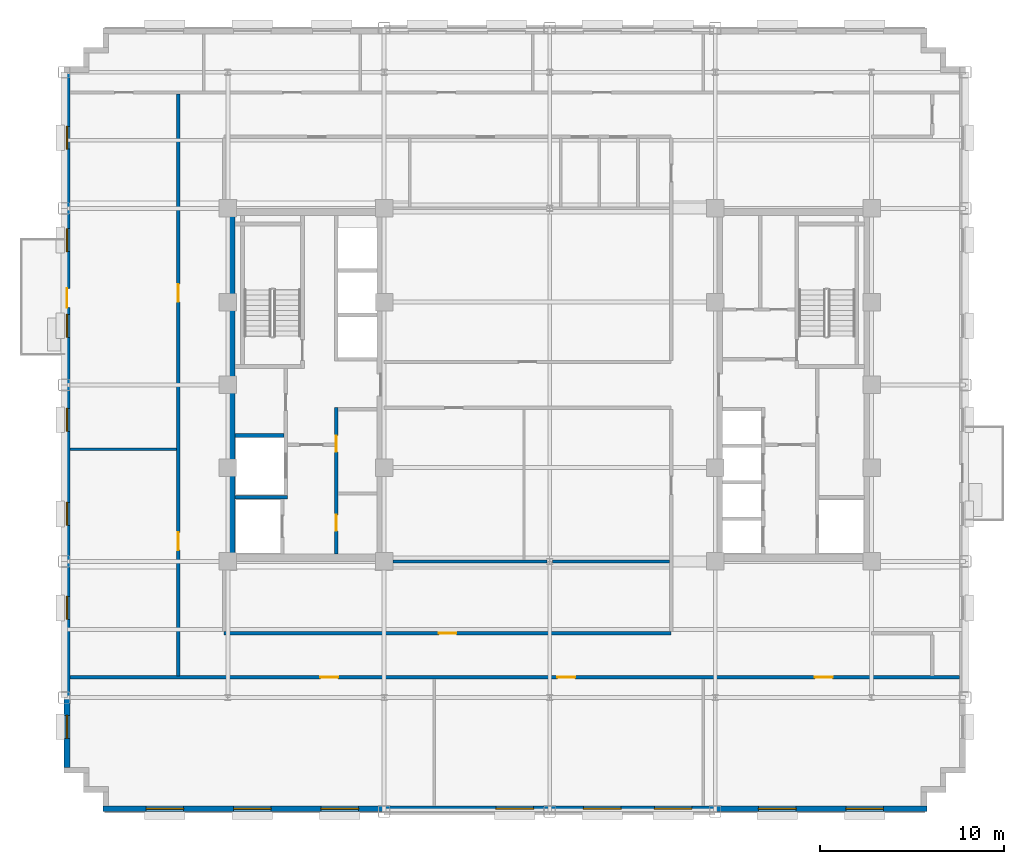
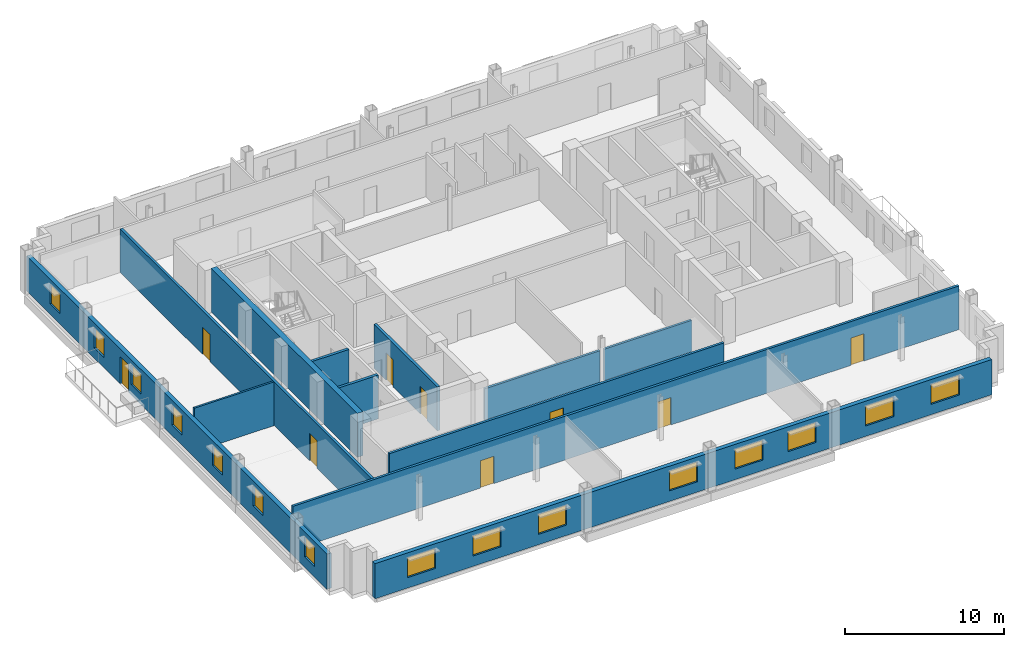
# One storey, part 7 of 14: 15 windows, 12 walls, 9 doors, 24 openings.
"""IFC4 building model written with IfcOpenShell, lengths in metres."""

from ifc_helpers import new_model, si_unit, direction, frame, frame_2d, origin, place, context, subcontext, project, spatial, rectangle, extrude, source, transform, mapped, material, layer, layer_set, type_object, type_shapes, element, fill, save


model = new_model("IFC4")

# Units and contexts
model_context = context("Model", 3, precision=1e-05, world=origin(), true_north=direction((0.0, 1.0)))
body_context = subcontext(model_context, "Body", "Model", "MODEL_VIEW")
ifc_project = project(units=[si_unit("LENGTHUNIT", "METRE"), si_unit("AREAUNIT", "SQUARE_METRE"), si_unit("VOLUMEUNIT", "CUBIC_METRE"), si_unit("PLANEANGLEUNIT", "RADIAN"), si_unit("MASSUNIT", "GRAM", prefix="KILO")], contexts=[model_context])

# Site, building, storey
site_placement = place(None, origin())
site = spatial("IfcSite", under=ifc_project, at=site_placement, CompositionType="ELEMENT")
building_placement = place(site_placement, origin())
building = spatial("IfcBuilding", under=site, at=building_placement, Name="Nuvemarco Arch Tower", CompositionType="ELEMENT")
storey_placement = place(building_placement, frame((0.0, 0.0, 171.300048828125)))
storey = spatial("IfcBuildingStorey", under=building, at=storey_placement, Name="L45", CompositionType="ELEMENT", Elevation=171.300048828125)

# Wall, openings, windows
ifc_material_1 = material(Name="Precast concrete C45/55", Category="concrete")
ifc_layer_1 = layer(ifc_material_1, 0.31005859375, Name="EW-UPP-310")
ifc_layer_set_1 = layer_set([ifc_layer_1], Name="Precast concrete C45/55")
wall_type_1 = type_object("IfcWallType", Name="EW-UPP-310", PredefinedType="STANDARD", material=ifc_layer_set_1)
wall_1_placement = place(storey_placement, frame((-24.300048828125, -23.044921875, 0.0), z_axis=(0.0, 0.0, 1.0), x_axis=(1.0, 0.0, 0.0)))
wall_1 = element("IfcWall", 1, at=wall_1_placement, inside=storey, type_object=wall_type_1, Name="L45 exterior precast facade wall 1", PredefinedType="STANDARD", context=body_context, shape_type="SweptSolid", body=[
    extrude(rectangle(XDim=44.800048828125, YDim=0.31005859375, at=frame_2d((22.39990234375, 0.0))), origin(), (0.0, 0.0, 1.0), 2.704833984375),
])
opening_1_placement = place(wall_1_placement, frame((2.352783203125, 0.0, 0.800048828125)))
opening_1 = element("IfcOpeningElement", 2, at=opening_1_placement, cuts=wall_1, Name="Opening WN-12", PredefinedType="OPENING", context=body_context, shape_type="SweptSolid", body=[
    extrude(rectangle(XDim=2.050048828125, YDim=1.52001953125, at=frame_2d((1.02490234375, 0.760009765625))), frame((0.0, 0.1650390625, 0.0), z_axis=(0.0, -1.0, 0.0), x_axis=(1.0, 0.0, 0.0)), (0.0, 0.0, 1.0), 0.330078125),
])
opening_2_placement = place(wall_1_placement, frame((7.1083984375, 0.0, 0.800048828125)))
opening_2 = element("IfcOpeningElement", 3, at=opening_2_placement, cuts=wall_1, Name="Opening WN-12", PredefinedType="OPENING", context=body_context, shape_type="SweptSolid", body=[
    extrude(rectangle(XDim=2.050048828125, YDim=1.52001953125, at=frame_2d((1.02490234375, 0.760009765625))), frame((0.0, 0.1650390625, 0.0), z_axis=(0.0, -1.0, 0.0), x_axis=(1.0, 0.0, 0.0)), (0.0, 0.0, 1.0), 0.330078125),
])
opening_3_placement = place(wall_1_placement, frame((11.864013671875, 0.0, 0.800048828125)))
opening_3 = element("IfcOpeningElement", 4, at=opening_3_placement, cuts=wall_1, Name="Opening WN-12", PredefinedType="OPENING", context=body_context, shape_type="SweptSolid", body=[
    extrude(rectangle(XDim=2.050048828125, YDim=1.52001953125, at=frame_2d((1.02490234375, 0.760009765625))), frame((0.0, 0.1650390625, 0.0), z_axis=(0.0, -1.0, 0.0), x_axis=(1.0, 0.0, 0.0)), (0.0, 0.0, 1.0), 0.330078125),
])
opening_4_placement = place(wall_1_placement, frame((21.375, 0.0, 0.800048828125)))
opening_4 = element("IfcOpeningElement", 5, at=opening_4_placement, cuts=wall_1, Name="Opening WN-12", PredefinedType="OPENING", context=body_context, shape_type="SweptSolid", body=[
    extrude(rectangle(XDim=2.050048828125, YDim=1.52001953125, at=frame_2d((1.02490234375, 0.760009765625))), frame((0.0, 0.1650390625, 0.0), z_axis=(0.0, -1.0, 0.0), x_axis=(1.0, 0.0, 0.0)), (0.0, 0.0, 1.0), 0.330078125),
])
opening_5_placement = place(wall_1_placement, frame((26.130615234375, 0.0, 0.800048828125)))
opening_5 = element("IfcOpeningElement", 6, at=opening_5_placement, cuts=wall_1, Name="Opening WN-12", PredefinedType="OPENING", context=body_context, shape_type="SweptSolid", body=[
    extrude(rectangle(XDim=2.050048828125, YDim=1.52001953125, at=frame_2d((1.02490234375, 0.760009765625))), frame((0.0, 0.1650390625, 0.0), z_axis=(0.0, -1.0, 0.0), x_axis=(1.0, 0.0, 0.0)), (0.0, 0.0, 1.0), 0.330078125),
])
opening_6_placement = place(wall_1_placement, frame((29.986083984375, 0.0, 0.800048828125)))
opening_6 = element("IfcOpeningElement", 7, at=opening_6_placement, cuts=wall_1, Name="Opening WN-12", PredefinedType="OPENING", context=body_context, shape_type="SweptSolid", body=[
    extrude(rectangle(XDim=2.050048828125, YDim=1.52001953125, at=frame_2d((1.02490234375, 0.760009765625))), frame((0.0, 0.1650390625, 0.0), z_axis=(0.0, -1.0, 0.0), x_axis=(1.0, 0.0, 0.0)), (0.0, 0.0, 1.0), 0.330078125),
])
opening_7_placement = place(wall_1_placement, frame((35.6416015625, 0.0, 0.800048828125)))
opening_7 = element("IfcOpeningElement", 8, at=opening_7_placement, cuts=wall_1, Name="Opening WN-12", PredefinedType="OPENING", context=body_context, shape_type="SweptSolid", body=[
    extrude(rectangle(XDim=2.050048828125, YDim=1.52001953125, at=frame_2d((1.02490234375, 0.760009765625))), frame((0.0, 0.1650390625, 0.0), z_axis=(0.0, -1.0, 0.0), x_axis=(1.0, 0.0, 0.0)), (0.0, 0.0, 1.0), 0.330078125),
])
opening_8_placement = place(wall_1_placement, frame((40.397216796875, 0.0, 0.800048828125)))
opening_8 = element("IfcOpeningElement", 9, at=opening_8_placement, cuts=wall_1, Name="Opening WN-12", PredefinedType="OPENING", context=body_context, shape_type="SweptSolid", body=[
    extrude(rectangle(XDim=2.050048828125, YDim=1.52001953125, at=frame_2d((1.02490234375, 0.760009765625))), frame((0.0, 0.1650390625, 0.0), z_axis=(0.0, -1.0, 0.0), x_axis=(1.0, 0.0, 0.0)), (0.0, 0.0, 1.0), 0.330078125),
])
ifc_material_2 = material(Name="Insulated solar-control glass", Category="glass")
window_type_1 = type_object("IfcWindowType", Name="WN-SET-2050x1520", PartitioningType="DOUBLE_PANEL_VERTICAL", PredefinedType="WINDOW", material=ifc_material_2)
shared_shape_1 = source(origin(), body_context, "Body", "SweptSolid", [
    extrude(rectangle(XDim=2.050048828125, YDim=1.52001953125, at=frame_2d((1.02490234375, 0.760009765625))), frame((0.0, 0.030029296875, 0.0), z_axis=(0.0, -1.0, 0.0), x_axis=(1.0, 0.0, 0.0)), (0.0, 0.0, 1.0), 0.06005859375),
])
type_shapes(window_type_1, [shared_shape_1])
window_1_placement = place(opening_1_placement, origin())
window_1 = element("IfcWindow", 10, at=window_1_placement, inside=storey, type_object=window_type_1, Name="L45 punched facade window 1", OverallHeight=1.52001953125, OverallWidth=2.050048828125, PartitioningType="SINGLE_PANEL", PredefinedType="WINDOW", context=body_context, shape_type="MappedRepresentation", body=[
    mapped(shared_shape_1, transform((0.0, 0.0, 0.0), scale=1.0)),
])
fill(opening_1, window_1)
window_2_placement = place(opening_2_placement, origin())
window_2 = element("IfcWindow", 11, at=window_2_placement, inside=storey, type_object=window_type_1, Name="L45 punched facade window 2", OverallHeight=1.52001953125, OverallWidth=2.050048828125, PartitioningType="SINGLE_PANEL", PredefinedType="WINDOW", context=body_context, shape_type="MappedRepresentation", body=[
    mapped(shared_shape_1, transform((0.0, 0.0, 0.0), scale=1.0)),
])
fill(opening_2, window_2)
window_3_placement = place(opening_3_placement, origin())
window_3 = element("IfcWindow", 12, at=window_3_placement, inside=storey, type_object=window_type_1, Name="L45 punched facade window 3", OverallHeight=1.52001953125, OverallWidth=2.050048828125, PartitioningType="SINGLE_PANEL", PredefinedType="WINDOW", context=body_context, shape_type="MappedRepresentation", body=[
    mapped(shared_shape_1, transform((0.0, 0.0, 0.0), scale=1.0)),
])
fill(opening_3, window_3)
window_4_placement = place(opening_4_placement, origin())
window_4 = element("IfcWindow", 13, at=window_4_placement, inside=storey, type_object=window_type_1, Name="L45 punched facade window 5", OverallHeight=1.52001953125, OverallWidth=2.050048828125, PartitioningType="SINGLE_PANEL", PredefinedType="WINDOW", context=body_context, shape_type="MappedRepresentation", body=[
    mapped(shared_shape_1, transform((0.0, 0.0, 0.0), scale=1.0)),
])
fill(opening_4, window_4)
window_5_placement = place(opening_5_placement, origin())
window_5 = element("IfcWindow", 14, at=window_5_placement, inside=storey, type_object=window_type_1, Name="L45 punched facade window 6", OverallHeight=1.52001953125, OverallWidth=2.050048828125, PartitioningType="SINGLE_PANEL", PredefinedType="WINDOW", context=body_context, shape_type="MappedRepresentation", body=[
    mapped(shared_shape_1, transform((0.0, 0.0, 0.0), scale=1.0)),
])
fill(opening_5, window_5)
window_6_placement = place(opening_6_placement, origin())
window_6 = element("IfcWindow", 15, at=window_6_placement, inside=storey, type_object=window_type_1, Name="L45 punched facade window 7", OverallHeight=1.52001953125, OverallWidth=2.050048828125, PartitioningType="SINGLE_PANEL", PredefinedType="WINDOW", context=body_context, shape_type="MappedRepresentation", body=[
    mapped(shared_shape_1, transform((0.0, 0.0, 0.0), scale=1.0)),
])
fill(opening_6, window_6)
window_7_placement = place(opening_7_placement, origin())
window_7 = element("IfcWindow", 16, at=window_7_placement, inside=storey, type_object=window_type_1, Name="L45 punched facade window 8", OverallHeight=1.52001953125, OverallWidth=2.050048828125, PartitioningType="SINGLE_PANEL", PredefinedType="WINDOW", context=body_context, shape_type="MappedRepresentation", body=[
    mapped(shared_shape_1, transform((0.0, 0.0, 0.0), scale=1.0)),
])
fill(opening_7, window_7)
window_8_placement = place(opening_8_placement, origin())
window_8 = element("IfcWindow", 17, at=window_8_placement, inside=storey, type_object=window_type_1, Name="L45 punched facade window 9", OverallHeight=1.52001953125, OverallWidth=2.050048828125, PartitioningType="SINGLE_PANEL", PredefinedType="WINDOW", context=body_context, shape_type="MappedRepresentation", body=[
    mapped(shared_shape_1, transform((0.0, 0.0, 0.0), scale=1.0)),
])
fill(opening_8, window_8)

# Wall, openings, door, windows
wall_2_placement = place(storey_placement, frame((-26.2451171875, -20.7939453125, 0.0), z_axis=(0.0, 0.0, 1.0), x_axis=(0.0, 1.0, 0.0)))
wall_2 = element("IfcWall", 18, at=wall_2_placement, inside=storey, type_object=wall_type_1, Name="L45 exterior precast facade wall 16", PredefinedType="STANDARD", context=body_context, shape_type="SweptSolid", body=[
    extrude(rectangle(XDim=37.787841796875, YDim=0.31005859375, at=frame_2d((18.89404296875, 0.0))), origin(), (0.0, 0.0, 1.0), 2.704833984375),
])
opening_9_placement = place(wall_2_placement, frame((24.993896484375, 0.0, 0.0)))
opening_9 = element("IfcOpeningElement", 19, at=opening_9_placement, cuts=wall_2, Name="Opening ED-5", PredefinedType="OPENING", context=body_context, shape_type="SweptSolid", body=[
    extrude(rectangle(XDim=1.050048828125, YDim=2.10009765625, at=frame_2d((0.52490234375, 1.050048828125))), frame((0.0, 0.1650390625, 0.0), z_axis=(0.0, -1.0, 0.0), x_axis=(1.0, 0.0, 0.0)), (0.0, 0.0, 1.0), 0.330078125),
])
opening_10_placement = place(wall_2_placement, frame((1.581298828125, 0.0, 0.800048828125)))
opening_10 = element("IfcOpeningElement", 20, at=opening_10_placement, cuts=wall_2, Name="Opening WN-13", PredefinedType="OPENING", context=body_context, shape_type="SweptSolid", body=[
    extrude(rectangle(XDim=1.25, YDim=1.52001953125, at=frame_2d((0.625, 0.760009765625))), frame((0.0, 0.1650390625, 0.0), z_axis=(0.0, -1.0, 0.0), x_axis=(1.0, 0.0, 0.0)), (0.0, 0.0, 1.0), 0.330078125),
])
opening_11_placement = place(wall_2_placement, frame((8.0439453125, 0.0, 0.800048828125)))
opening_11 = element("IfcOpeningElement", 21, at=opening_11_placement, cuts=wall_2, Name="Opening WN-13", PredefinedType="OPENING", context=body_context, shape_type="SweptSolid", body=[
    extrude(rectangle(XDim=1.25, YDim=1.52001953125, at=frame_2d((0.625, 0.760009765625))), frame((0.0, 0.1650390625, 0.0), z_axis=(0.0, -1.0, 0.0), x_axis=(1.0, 0.0, 0.0)), (0.0, 0.0, 1.0), 0.330078125),
])
opening_12_placement = place(wall_2_placement, frame((13.156494140625, 0.0, 0.800048828125)))
opening_12 = element("IfcOpeningElement", 22, at=opening_12_placement, cuts=wall_2, Name="Opening WN-13", PredefinedType="OPENING", context=body_context, shape_type="SweptSolid", body=[
    extrude(rectangle(XDim=1.25, YDim=1.52001953125, at=frame_2d((0.625, 0.760009765625))), frame((0.0, 0.1650390625, 0.0), z_axis=(0.0, -1.0, 0.0), x_axis=(1.0, 0.0, 0.0)), (0.0, 0.0, 1.0), 0.330078125),
])
opening_13_placement = place(wall_2_placement, frame((18.26904296875, 0.0, 0.800048828125)))
opening_13 = element("IfcOpeningElement", 23, at=opening_13_placement, cuts=wall_2, Name="Opening WN-13", PredefinedType="OPENING", context=body_context, shape_type="SweptSolid", body=[
    extrude(rectangle(XDim=1.25, YDim=1.52001953125, at=frame_2d((0.625, 0.760009765625))), frame((0.0, 0.1650390625, 0.0), z_axis=(0.0, -1.0, 0.0), x_axis=(1.0, 0.0, 0.0)), (0.0, 0.0, 1.0), 0.330078125),
])
opening_14_placement = place(wall_2_placement, frame((23.381591796875, 0.0, 0.800048828125)))
opening_14 = element("IfcOpeningElement", 24, at=opening_14_placement, cuts=wall_2, Name="Opening WN-13", PredefinedType="OPENING", context=body_context, shape_type="SweptSolid", body=[
    extrude(rectangle(XDim=1.25, YDim=1.52001953125, at=frame_2d((0.625, 0.760009765625))), frame((0.0, 0.1650390625, 0.0), z_axis=(0.0, -1.0, 0.0), x_axis=(1.0, 0.0, 0.0)), (0.0, 0.0, 1.0), 0.330078125),
])
opening_15_placement = place(wall_2_placement, frame((28.044189453125, 0.0, 0.800048828125)))
opening_15 = element("IfcOpeningElement", 25, at=opening_15_placement, cuts=wall_2, Name="Opening WN-13", PredefinedType="OPENING", context=body_context, shape_type="SweptSolid", body=[
    extrude(rectangle(XDim=1.25, YDim=1.52001953125, at=frame_2d((0.625, 0.760009765625))), frame((0.0, 0.1650390625, 0.0), z_axis=(0.0, -1.0, 0.0), x_axis=(1.0, 0.0, 0.0)), (0.0, 0.0, 1.0), 0.330078125),
])
opening_16_placement = place(wall_2_placement, frame((33.606689453125, 0.0, 0.800048828125)))
opening_16 = element("IfcOpeningElement", 26, at=opening_16_placement, cuts=wall_2, Name="Opening WN-13", PredefinedType="OPENING", context=body_context, shape_type="SweptSolid", body=[
    extrude(rectangle(XDim=1.25, YDim=1.52001953125, at=frame_2d((0.625, 0.760009765625))), frame((0.0, 0.1650390625, 0.0), z_axis=(0.0, -1.0, 0.0), x_axis=(1.0, 0.0, 0.0)), (0.0, 0.0, 1.0), 0.330078125),
])
ifc_material_3 = material(Name="Anodised bronze and laminated glass", Category="glass")
door_type_1 = type_object("IfcDoorType", Name="DR-EXT-TERR", OperationType="NOTDEFINED", PredefinedType="DOOR", material=ifc_material_3)
shared_shape_2 = source(origin(), body_context, "Body", "SweptSolid", [
    extrude(rectangle(XDim=1.050048828125, YDim=2.10009765625, at=frame_2d((0.52490234375, 1.050048828125))), frame((0.0, 0.02490234375, 0.0), z_axis=(0.0, -1.0, 0.0), x_axis=(1.0, 0.0, 0.0)), (0.0, 0.0, 1.0), 0.050048828125),
])
type_shapes(door_type_1, [shared_shape_2])
door_1_placement = place(opening_9_placement, origin())
door_1 = element("IfcDoor", 27, at=door_1_placement, inside=storey, type_object=door_type_1, Name="L45 spiral terrace access door", OperationType="SINGLE_SWING_LEFT", OverallHeight=2.10009765625, OverallWidth=1.050048828125, PredefinedType="DOOR", context=body_context, shape_type="MappedRepresentation", body=[
    mapped(shared_shape_2, transform((0.0, 0.0, 0.0), scale=1.0)),
])
fill(opening_9, door_1)
window_type_2 = type_object("IfcWindowType", Name="WN-SET-1250x1520", PartitioningType="SINGLE_PANEL", PredefinedType="WINDOW", material=ifc_material_2)
shared_shape_3 = source(origin(), body_context, "Body", "SweptSolid", [
    extrude(rectangle(XDim=1.25, YDim=1.52001953125, at=frame_2d((0.625, 0.760009765625))), frame((0.0, 0.030029296875, 0.0), z_axis=(0.0, -1.0, 0.0), x_axis=(1.0, 0.0, 0.0)), (0.0, 0.0, 1.0), 0.06005859375),
])
type_shapes(window_type_2, [shared_shape_3])
window_9_placement = place(opening_10_placement, origin())
window_9 = element("IfcWindow", 28, at=window_9_placement, inside=storey, type_object=window_type_2, Name="L45 punched facade window 1", OverallHeight=1.52001953125, OverallWidth=1.25, PartitioningType="SINGLE_PANEL", PredefinedType="WINDOW", context=body_context, shape_type="MappedRepresentation", body=[
    mapped(shared_shape_3, transform((0.0, 0.0, 0.0), scale=1.0)),
])
fill(opening_10, window_9)
window_10_placement = place(opening_11_placement, origin())
window_10 = element("IfcWindow", 29, at=window_10_placement, inside=storey, type_object=window_type_2, Name="L45 punched facade window 2", OverallHeight=1.52001953125, OverallWidth=1.25, PartitioningType="SINGLE_PANEL", PredefinedType="WINDOW", context=body_context, shape_type="MappedRepresentation", body=[
    mapped(shared_shape_3, transform((0.0, 0.0, 0.0), scale=1.0)),
])
fill(opening_11, window_10)
window_11_placement = place(opening_12_placement, origin())
window_11 = element("IfcWindow", 30, at=window_11_placement, inside=storey, type_object=window_type_2, Name="L45 punched facade window 3", OverallHeight=1.52001953125, OverallWidth=1.25, PartitioningType="SINGLE_PANEL", PredefinedType="WINDOW", context=body_context, shape_type="MappedRepresentation", body=[
    mapped(shared_shape_3, transform((0.0, 0.0, 0.0), scale=1.0)),
])
fill(opening_12, window_11)
window_12_placement = place(opening_13_placement, origin())
window_12 = element("IfcWindow", 31, at=window_12_placement, inside=storey, type_object=window_type_2, Name="L45 punched facade window 4", OverallHeight=1.52001953125, OverallWidth=1.25, PartitioningType="SINGLE_PANEL", PredefinedType="WINDOW", context=body_context, shape_type="MappedRepresentation", body=[
    mapped(shared_shape_3, transform((0.0, 0.0, 0.0), scale=1.0)),
])
fill(opening_13, window_12)
window_13_placement = place(opening_14_placement, origin())
window_13 = element("IfcWindow", 32, at=window_13_placement, inside=storey, type_object=window_type_2, Name="L45 punched facade window 5", OverallHeight=1.52001953125, OverallWidth=1.25, PartitioningType="SINGLE_PANEL", PredefinedType="WINDOW", context=body_context, shape_type="MappedRepresentation", body=[
    mapped(shared_shape_3, transform((0.0, 0.0, 0.0), scale=1.0)),
])
fill(opening_14, window_13)
window_14_placement = place(opening_15_placement, origin())
window_14 = element("IfcWindow", 33, at=window_14_placement, inside=storey, type_object=window_type_2, Name="L45 punched facade window 6", OverallHeight=1.52001953125, OverallWidth=1.25, PartitioningType="SINGLE_PANEL", PredefinedType="WINDOW", context=body_context, shape_type="MappedRepresentation", body=[
    mapped(shared_shape_3, transform((0.0, 0.0, 0.0), scale=1.0)),
])
fill(opening_15, window_14)
window_15_placement = place(opening_16_placement, origin())
window_15 = element("IfcWindow", 34, at=window_15_placement, inside=storey, type_object=window_type_2, Name="L45 punched facade window 7", OverallHeight=1.52001953125, OverallWidth=1.25, PartitioningType="SINGLE_PANEL", PredefinedType="WINDOW", context=body_context, shape_type="MappedRepresentation", body=[
    mapped(shared_shape_3, transform((0.0, 0.0, 0.0), scale=1.0)),
])
fill(opening_16, window_15)

# Wall
ifc_material_4 = material(Name="Concrete C60/75", Category="concrete")
ifc_layer_2 = layer(ifc_material_4, 0.39990234375, Name="WL-CORE-400")
ifc_layer_set_2 = layer_set([ifc_layer_2], Name="Concrete C60/75")
wall_type_2 = type_object("IfcWallType", Name="WL-CORE-400", PredefinedType="SHEAR", material=ifc_layer_set_2)
wall_3_placement = place(storey_placement, frame((-17.300048828125, -9.205078125, 0.0), z_axis=(0.0, 0.0, 1.0), x_axis=(0.0, 1.0, 0.0)))
element("IfcWall", 35, at=wall_3_placement, inside=storey, type_object=wall_type_2, Name="L45 W-core shear wall W", PredefinedType="SHEAR", context=body_context, shape_type="SweptSolid", body=[
    extrude(rectangle(XDim=18.41015625, YDim=0.39990234375, at=frame_2d((9.205078125, 0.0))), origin(), (0.0, 0.0, 1.0), 3.369873046875),
])

# Wall, openings, doors
ifc_material_5 = material(Name="Fire-rated gypsum drywall partition")
ifc_layer_3 = layer(ifc_material_5, 0.179931640625, Name="WL-CORR-180")
ifc_layer_set_3 = layer_set([ifc_layer_3], Name="Fire-rated gypsum drywall partition")
wall_type_3 = type_object("IfcWallType", Name="WL-CORR-180", PredefinedType="PARTITIONING", material=ifc_layer_set_3)
wall_4_placement = place(storey_placement, frame((-26.090087890625, -15.89990234375, 0.0), z_axis=(0.0, 0.0, 1.0), x_axis=(1.0, 0.0, 0.0)))
wall_4 = element("IfcWall", 36, at=wall_4_placement, inside=storey, type_object=wall_type_3, Name="L45 interior wall IW-L45-001", PredefinedType="PARTITIONING", context=body_context, shape_type="SweptSolid", body=[
    extrude(rectangle(XDim=48.380126953125, YDim=0.179931640625, at=frame_2d((24.18994140625, 0.0))), origin(), (0.0, 0.0, 1.0), 3.35986328125),
])
opening_17_placement = place(wall_4_placement, frame((26.510009765625, 0.0, 0.0)))
opening_17 = element("IfcOpeningElement", 37, at=opening_17_placement, cuts=wall_4, Name="Opening FD-5", PredefinedType="OPENING", context=body_context, shape_type="SweptSolid", body=[
    extrude(rectangle(XDim=0.9599609375, YDim=2.10009765625, at=frame_2d((0.47998046875, 1.050048828125))), frame((0.0, 0.099853515625, 0.0), z_axis=(0.0, -1.0, 0.0), x_axis=(1.0, 0.0, 0.0)), (0.0, 0.0, 1.0), 0.199951171875),
])
opening_18_placement = place(wall_4_placement, frame((40.510009765625, 0.0, 0.0)))
opening_18 = element("IfcOpeningElement", 38, at=opening_18_placement, cuts=wall_4, Name="Opening FD-5", PredefinedType="OPENING", context=body_context, shape_type="SweptSolid", body=[
    extrude(rectangle(XDim=0.9599609375, YDim=2.10009765625, at=frame_2d((0.47998046875, 1.050048828125))), frame((0.0, 0.099853515625, 0.0), z_axis=(0.0, -1.0, 0.0), x_axis=(1.0, 0.0, 0.0)), (0.0, 0.0, 1.0), 0.199951171875),
])
opening_19_placement = place(wall_4_placement, frame((13.6201171875, 0.0, 0.0)))
opening_19 = element("IfcOpeningElement", 39, at=opening_19_placement, cuts=wall_4, Name="Opening FD-5", PredefinedType="OPENING", context=body_context, shape_type="SweptSolid", body=[
    extrude(rectangle(XDim=0.9599609375, YDim=2.10009765625, at=frame_2d((0.47998046875, 1.050048828125))), frame((0.0, 0.099853515625, 0.0), z_axis=(0.0, -1.0, 0.0), x_axis=(1.0, 0.0, 0.0)), (0.0, 0.0, 1.0), 0.199951171875),
])
ifc_material_6 = material(Name="Timber fire door", Category="wood")
door_type_2 = type_object("IfcDoorType", Name="DR-CORR-FD", OperationType="NOTDEFINED", PredefinedType="DOOR", material=ifc_material_6)
shared_shape_4 = source(origin(), body_context, "Body", "SweptSolid", [
    extrude(rectangle(XDim=0.9599609375, YDim=2.10009765625, at=frame_2d((0.47998046875, 1.050048828125))), frame((0.0, 0.02490234375, 0.0), z_axis=(0.0, -1.0, 0.0), x_axis=(1.0, 0.0, 0.0)), (0.0, 0.0, 1.0), 0.050048828125),
])
type_shapes(door_type_2, [shared_shape_4])
door_2_placement = place(opening_17_placement, origin())
door_2 = element("IfcDoor", 40, at=door_2_placement, inside=storey, type_object=door_type_2, Name="L45 door DR-L45-S_2", OperationType="SINGLE_SWING_RIGHT", OverallHeight=2.10009765625, OverallWidth=0.9599609375, PredefinedType="DOOR", context=body_context, shape_type="MappedRepresentation", body=[
    mapped(shared_shape_4, transform((0.0, 0.0, 0.0), scale=1.0)),
])
fill(opening_17, door_2)
door_3_placement = place(opening_18_placement, origin())
door_3 = element("IfcDoor", 41, at=door_3_placement, inside=storey, type_object=door_type_2, Name="L45 door DR-L45-S_3", OperationType="SINGLE_SWING_RIGHT", OverallHeight=2.10009765625, OverallWidth=0.9599609375, PredefinedType="DOOR", context=body_context, shape_type="MappedRepresentation", body=[
    mapped(shared_shape_4, transform((0.0, 0.0, 0.0), scale=1.0)),
])
fill(opening_18, door_3)
door_4_placement = place(opening_19_placement, origin())
door_4 = element("IfcDoor", 42, at=door_4_placement, inside=storey, type_object=door_type_2, Name="L45 door DR-L45-S_1", OperationType="SINGLE_SWING_LEFT", OverallHeight=2.10009765625, OverallWidth=0.9599609375, PredefinedType="DOOR", context=body_context, shape_type="MappedRepresentation", body=[
    mapped(shared_shape_4, transform((0.0, 0.0, 0.0), scale=1.0)),
])
fill(opening_19, door_4)

# Wall, opening, door
wall_5_placement = place(storey_placement, frame((-17.699951171875, -13.5, 0.0), z_axis=(0.0, 0.0, 1.0), x_axis=(1.0, 0.0, 0.0)))
wall_5 = element("IfcWall", 43, at=wall_5_placement, inside=storey, type_object=wall_type_3, Name="L45 interior wall IW-L45-002", PredefinedType="PARTITIONING", context=body_context, shape_type="SweptSolid", body=[
    extrude(rectangle(XDim=24.300048828125, YDim=0.179931640625, at=frame_2d((12.14990234375, 0.0))), origin(), (0.0, 0.0, 1.0), 3.008056640625),
])
opening_20_placement = place(wall_5_placement, frame((11.669921875, 0.0, 0.0)))
opening_20 = element("IfcOpeningElement", 44, at=opening_20_placement, cuts=wall_5, Name="Opening FD-5", PredefinedType="OPENING", context=body_context, shape_type="SweptSolid", body=[
    extrude(rectangle(XDim=0.9599609375, YDim=2.10009765625, at=frame_2d((0.47998046875, 1.050048828125))), frame((0.0, 0.099853515625, 0.0), z_axis=(0.0, -1.0, 0.0), x_axis=(1.0, 0.0, 0.0)), (0.0, 0.0, 1.0), 0.199951171875),
])
door_5_placement = place(opening_20_placement, origin())
door_5 = element("IfcDoor", 45, at=door_5_placement, inside=storey, type_object=door_type_2, Name="L45 door DR-L45-IN_S1", OperationType="SINGLE_SWING_LEFT", OverallHeight=2.10009765625, OverallWidth=0.9599609375, PredefinedType="DOOR", context=body_context, shape_type="MappedRepresentation", body=[
    mapped(shared_shape_4, transform((0.0, 0.0, 0.0), scale=1.0)),
])
fill(opening_20, door_5)

# Wall, openings, doors
wall_6_placement = place(storey_placement, frame((-20.199951171875, -15.81396484375, 0.0), z_axis=(0.0, 0.0, 1.0), x_axis=(0.0, 1.0, 0.0)))
wall_6 = element("IfcWall", 46, at=wall_6_placement, inside=storey, type_object=wall_type_3, Name="L45 interior wall IW-L45-014", PredefinedType="PARTITIONING", context=body_context, shape_type="SweptSolid", body=[
    extrude(rectangle(XDim=31.6279296875, YDim=0.179931640625, at=frame_2d((15.81396484375, 0.0))), origin(), (0.0, 0.0, 1.0), 3.35986328125),
])
opening_21_placement = place(wall_6_placement, frame((20.333984375, 0.0, 0.0)))
opening_21 = element("IfcOpeningElement", 47, at=opening_21_placement, cuts=wall_6, Name="Opening FD-5", PredefinedType="OPENING", context=body_context, shape_type="SweptSolid", body=[
    extrude(rectangle(XDim=0.9599609375, YDim=2.10009765625, at=frame_2d((0.47998046875, 1.050048828125))), frame((0.0, 0.099853515625, 0.0), z_axis=(0.0, -1.0, 0.0), x_axis=(1.0, 0.0, 0.0)), (0.0, 0.0, 1.0), 0.199951171875),
])
opening_22_placement = place(wall_6_placement, frame((6.833984375, 0.0, 0.0)))
opening_22 = element("IfcOpeningElement", 48, at=opening_22_placement, cuts=wall_6, Name="Opening FD-5", PredefinedType="OPENING", context=body_context, shape_type="SweptSolid", body=[
    extrude(rectangle(XDim=0.9599609375, YDim=2.10009765625, at=frame_2d((0.47998046875, 1.050048828125))), frame((0.0, 0.099853515625, 0.0), z_axis=(0.0, -1.0, 0.0), x_axis=(1.0, 0.0, 0.0)), (0.0, 0.0, 1.0), 0.199951171875),
])
door_6_placement = place(opening_21_placement, origin())
door_6 = element("IfcDoor", 49, at=door_6_placement, inside=storey, type_object=door_type_2, Name="L45 door DR-L45-W_2", OperationType="SINGLE_SWING_RIGHT", OverallHeight=2.10009765625, OverallWidth=0.9599609375, PredefinedType="DOOR", context=body_context, shape_type="MappedRepresentation", body=[
    mapped(shared_shape_4, transform((0.0, 0.0, 0.0), scale=1.0)),
])
fill(opening_21, door_6)
door_7_placement = place(opening_22_placement, origin())
door_7 = element("IfcDoor", 50, at=door_7_placement, inside=storey, type_object=door_type_2, Name="L45 door DR-L45-W_1", OperationType="SINGLE_SWING_LEFT", OverallHeight=2.10009765625, OverallWidth=0.9599609375, PredefinedType="DOOR", context=body_context, shape_type="MappedRepresentation", body=[
    mapped(shared_shape_4, transform((0.0, 0.0, 0.0), scale=1.0)),
])
fill(opening_22, door_7)

# Walls
ifc_material_7 = material(Name="Gypsum plasterboard partition")
ifc_layer_4 = layer(ifc_material_7, 0.139892578125, Name="WL-ROOM-140")
ifc_layer_set_4 = layer_set([ifc_layer_4], Name="Gypsum plasterboard partition")
wall_type_4 = type_object("IfcWallType", Name="WL-ROOM-140", PredefinedType="PARTITIONING", material=ifc_layer_set_4)
wall_7_placement = place(storey_placement, frame((-26.090087890625, -3.5, 0.0), z_axis=(0.0, 0.0, 1.0), x_axis=(1.0, 0.0, 0.0)))
element("IfcWall", 51, at=wall_7_placement, inside=storey, type_object=wall_type_4, Name="L45 interior wall IW-L45-006", PredefinedType="PARTITIONING", context=body_context, shape_type="SweptSolid", body=[
    extrude(rectangle(XDim=5.80419921875, YDim=0.139892578125, at=frame_2d((2.902099609375, 0.0))), origin(), (0.0, 0.0, 1.0), 3.35986328125),
])
ifc_material_8 = material(Name="Concrete C50/60", Category="concrete")
ifc_layer_5 = layer(ifc_material_8, 0.199951171875, Name="WL-SHAFT-220")
ifc_layer_set_5 = layer_set([ifc_layer_5], Name="Concrete C50/60")
wall_type_5 = type_object("IfcWallType", Name="WL-SHAFT-220", PredefinedType="SHEAR", material=ifc_layer_set_5)
wall_8_placement = place(storey_placement, frame((-17.10498046875, -6.10009765625, 0.0), z_axis=(0.0, 0.0, 1.0), x_axis=(1.0, 0.0, 0.0)))
element("IfcWall", 52, at=wall_8_placement, inside=storey, type_object=wall_type_5, Name="L45 structural shaft wall SW-L45-W-SH1", PredefinedType="SHEAR", context=body_context, shape_type="SweptSolid", body=[
    extrude(rectangle(XDim=2.85498046875, YDim=0.199951171875, at=frame_2d((1.427490234375, 0.0))), origin(), (0.0, 0.0, 1.0), 3.369873046875),
])
wall_9_placement = place(storey_placement, frame((-17.10498046875, -2.75, 0.0), z_axis=(0.0, 0.0, 1.0), x_axis=(1.0, 0.0, 0.0)))
element("IfcWall", 53, at=wall_9_placement, inside=storey, type_object=wall_type_5, Name="L45 structural shaft wall SW-L45-W-SH2", PredefinedType="SHEAR", context=body_context, shape_type="SweptSolid", body=[
    extrude(rectangle(XDim=2.659912109375, YDim=0.199951171875, at=frame_2d((1.330078125, 0.0))), origin(), (0.0, 0.0, 1.0), 3.369873046875),
])

# Wall, openings, doors
wall_10_placement = place(storey_placement, frame((-11.60009765625, -9.205078125, 0.0), z_axis=(0.0, 0.0, 1.0), x_axis=(0.0, 1.0, 0.0)))
wall_10 = element("IfcWall", 54, at=wall_10_placement, inside=storey, type_object=wall_type_5, Name="L45 structural shaft wall SW-L45-W-PLW", PredefinedType="SHEAR", context=body_context, shape_type="SweptSolid", body=[
    extrude(rectangle(XDim=7.97509765625, YDim=0.199951171875, at=frame_2d((3.987548828125, 0.0))), origin(), (0.0, 0.0, 1.0), 3.369873046875),
])
opening_23_placement = place(wall_10_placement, frame((1.264892578125, 0.0, 0.0)))
opening_23 = element("IfcOpeningElement", 55, at=opening_23_placement, cuts=wall_10, Name="Opening FD-4", PredefinedType="OPENING", context=body_context, shape_type="SweptSolid", body=[
    extrude(rectangle(XDim=0.8798828125, YDim=2.10009765625, at=frame_2d((0.43994140625, 1.050048828125))), frame((0.0, 0.10986328125, 0.0), z_axis=(0.0, -1.0, 0.0), x_axis=(1.0, 0.0, 0.0)), (0.0, 0.0, 1.0), 0.219970703125),
])
opening_24_placement = place(wall_10_placement, frame((5.56494140625, 0.0, 0.0)))
opening_24 = element("IfcOpeningElement", 56, at=opening_24_placement, cuts=wall_10, Name="Opening FD-4", PredefinedType="OPENING", context=body_context, shape_type="SweptSolid", body=[
    extrude(rectangle(XDim=0.8798828125, YDim=2.10009765625, at=frame_2d((0.43994140625, 1.050048828125))), frame((0.0, 0.10986328125, 0.0), z_axis=(0.0, -1.0, 0.0), x_axis=(1.0, 0.0, 0.0)), (0.0, 0.0, 1.0), 0.219970703125),
])
ifc_material_9 = material(Name="Anodised steel fire door", Category="steel")
door_type_3 = type_object("IfcDoorType", Name="DR-RISER-FD", OperationType="NOTDEFINED", PredefinedType="DOOR", material=ifc_material_9)
shared_shape_5 = source(origin(), body_context, "Body", "SweptSolid", [
    extrude(rectangle(XDim=0.8798828125, YDim=2.10009765625, at=frame_2d((0.43994140625, 1.050048828125))), frame((0.0, 0.02490234375, 0.0), z_axis=(0.0, -1.0, 0.0), x_axis=(1.0, 0.0, 0.0)), (0.0, 0.0, 1.0), 0.050048828125),
])
type_shapes(door_type_3, [shared_shape_5])
door_8_placement = place(opening_23_placement, origin())
door_8 = element("IfcDoor", 57, at=door_8_placement, inside=storey, type_object=door_type_3, Name="L45 door FD-L45-WREC1", OperationType="SINGLE_SWING_RIGHT", OverallHeight=2.10009765625, OverallWidth=0.8798828125, PredefinedType="DOOR", context=body_context, shape_type="MappedRepresentation", body=[
    mapped(shared_shape_5, transform((0.0, 0.0, 0.0), scale=1.0)),
])
fill(opening_23, door_8)
door_9_placement = place(opening_24_placement, origin())
door_9 = element("IfcDoor", 58, at=door_9_placement, inside=storey, type_object=door_type_3, Name="L45 door FD-L45-WREC2", OperationType="SINGLE_SWING_LEFT", OverallHeight=2.10009765625, OverallWidth=0.8798828125, PredefinedType="DOOR", context=body_context, shape_type="MappedRepresentation", body=[
    mapped(shared_shape_5, transform((0.0, 0.0, 0.0), scale=1.0)),
])
fill(opening_24, door_9)

# Walls
ifc_material_10 = material(Name="Acoustic gypsum drywall partition")
ifc_layer_6 = layer(ifc_material_10, 0.159912109375, Name="WL-TENANT-160")
ifc_layer_set_6 = layer_set([ifc_layer_6], Name="Acoustic gypsum drywall partition")
wall_type_6 = type_object("IfcWallType", Name="WL-TENANT-160", PredefinedType="PARTITIONING", material=ifc_layer_set_6)
wall_11_placement = place(storey_placement, frame((-8.529052734375, -9.60009765625, 0.0), z_axis=(0.0, 0.0, 1.0), x_axis=(1.0, 0.0, 0.0)))
element("IfcWall", 59, at=wall_11_placement, inside=storey, type_object=wall_type_6, Name="L45 interior wall IW-L45-004", PredefinedType="PARTITIONING", context=body_context, shape_type="SweptSolid", body=[
    extrude(rectangle(XDim=8.378173828125, YDim=0.159912109375, at=frame_2d((4.18896484375, 0.0))), origin(), (0.0, 0.0, 1.0), 2.405029296875),
])
wall_12_placement = place(storey_placement, frame((0.15087890625, -9.60009765625, 0.0), z_axis=(0.0, 0.0, 1.0), x_axis=(1.0, 0.0, 0.0)))
element("IfcWall", 60, at=wall_12_placement, inside=storey, type_object=wall_type_6, Name="L45 interior wall IW-L45-005", PredefinedType="PARTITIONING", context=body_context, shape_type="SweptSolid", body=[
    extrude(rectangle(XDim=6.363037109375, YDim=0.159912109375, at=frame_2d((3.181640625, 0.0))), origin(), (0.0, 0.0, 1.0), 2.405029296875),
])

save(model, "model.ifc")
